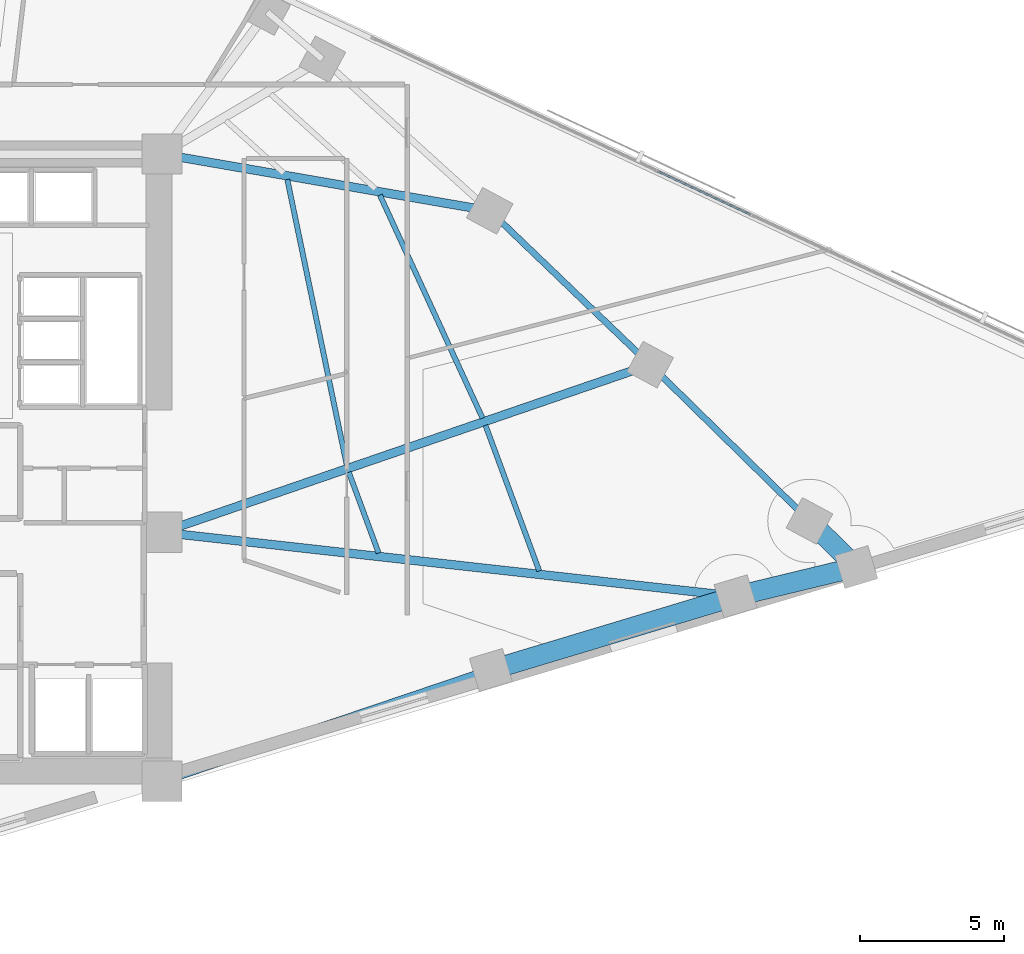
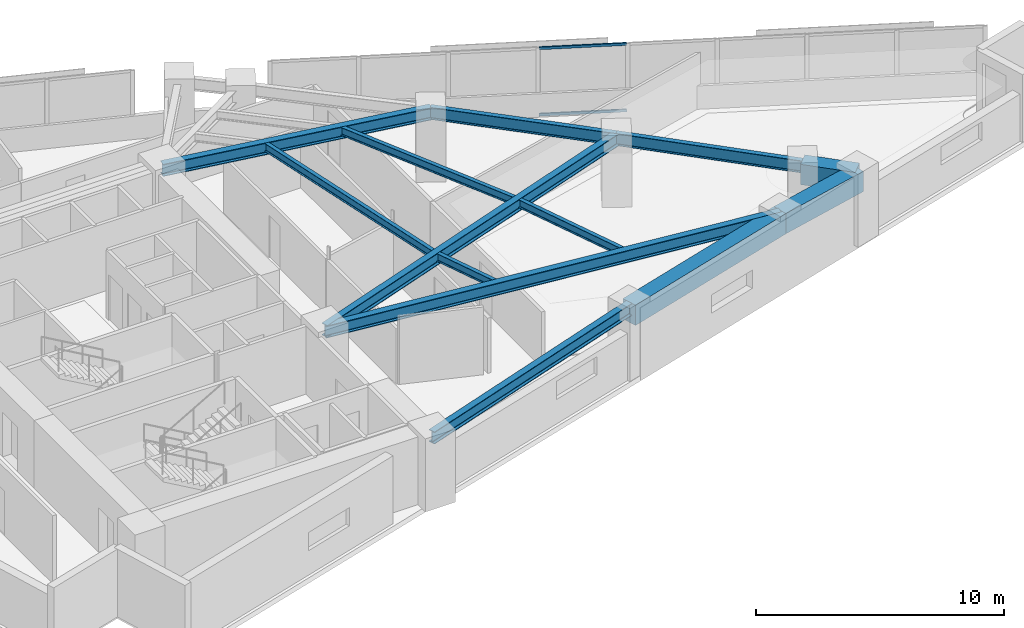
# One storey, part 3 of 16: 13 beams, 2 members, 1 element without a shape of its own.
"""IFC4 building model written with IfcOpenShell, lengths in metres."""

from ifc_helpers import new_model, si_unit, direction, frame, origin, origin_2d, place, context, subcontext, project, spatial, rectangle, hollow_rectangle, i_section, extrude, material, material_profile, profile_set, type_object, element, aggregate, save


model = new_model("IFC4")

# Units and contexts
model_context = context("Model", 3, precision=1e-05, world=origin(), true_north=direction((0.0, 1.0)))
body_context = subcontext(model_context, "Body", "Model", "MODEL_VIEW")
ifc_project = project(units=[si_unit("LENGTHUNIT", "METRE"), si_unit("AREAUNIT", "SQUARE_METRE"), si_unit("VOLUMEUNIT", "CUBIC_METRE"), si_unit("PLANEANGLEUNIT", "RADIAN"), si_unit("MASSUNIT", "GRAM", prefix="KILO")], contexts=[model_context])

# Site, building, storey
site_placement = place(None, origin())
site = spatial("IfcSite", under=ifc_project, at=site_placement, CompositionType="ELEMENT")
building_placement = place(site_placement, origin())
building = spatial("IfcBuilding", under=site, at=building_placement, Name="Narakoshi Arena Tower", CompositionType="ELEMENT")
storey_placement = place(building_placement, frame((0.0, 0.0, 150.300048828125)))
storey = spatial("IfcBuildingStorey", under=building, at=storey_placement, Name="L40", CompositionType="ELEMENT", Elevation=150.300048828125)

# Beams
ifc_material_1 = material(Name="Concrete C60/75", Category="concrete")
ifc_material_profile_1 = material_profile(ifc_material_1, rectangle(XDim=0.699951171875, YDim=1.0, at=origin_2d()), Name="RCB700x1000")
ifc_profile_set_1 = profile_set([ifc_material_profile_1], Name="Concrete C60/75")
beam_type_1 = type_object("IfcBeamType", Name="BM-CPL-1000", PredefinedType="BEAM", material=ifc_profile_set_1)
beam_1_placement = place(storey_placement, frame((96.984619140625, 38.565185546875, 2.83984375), z_axis=(0.957568042752, 0.288207292585, 0.0), x_axis=(-0.288207292585, 0.957568042752, 0.0)))
element("IfcBeam", 1, at=beam_1_placement, inside=storey, type_object=beam_type_1, Name="L40 Perimeter Edge Girder 01", PredefinedType="BEAM", context=body_context, shape_type="SweptSolid", body=[
    extrude(rectangle(XDim=0.699951171875, YDim=1.0, at=origin_2d()), origin(), (0.0, 0.0, 1.0), 8.885986328125),
])
beam_2_placement = place(storey_placement, frame((105.49365234375, 41.126220703125, 2.83984375), z_axis=(0.97211420724, 0.234507927545, 0.0), x_axis=(-0.234507927545, 0.97211420724, 0.0)))
element("IfcBeam", 2, at=beam_2_placement, inside=storey, type_object=beam_type_1, Name="L40 Perimeter Edge Girder 02", PredefinedType="BEAM", context=body_context, shape_type="SweptSolid", body=[
    extrude(rectangle(XDim=0.699951171875, YDim=1.0, at=origin_2d()), origin(), (0.0, 0.0, 1.0), 4.3193359375),
])
beam_3_placement = place(storey_placement, frame((109.692626953125, 42.13916015625, 2.83984375), z_axis=(-0.71252416991, 0.701647566299, 0.0), x_axis=(-0.701647566299, -0.71252416991, 0.0)))
element("IfcBeam", 3, at=beam_3_placement, inside=storey, type_object=beam_type_1, Name="L40 Perimeter Edge Girder 03", PredefinedType="BEAM", context=body_context, shape_type="SweptSolid", body=[
    extrude(rectangle(XDim=0.699951171875, YDim=1.0, at=origin_2d()), origin(), (0.0, 0.0, 1.0), 2.28955078125),
])
ifc_material_2 = material(Name="Structural steel S355J2", Category="steel")
ifc_material_profile_2 = material_profile(ifc_material_2, i_section(OverallWidth=0.219970703125, OverallDepth=0.60009765625, WebThickness=0.011962890625, FlangeThickness=0.01904296875, FilletRadius=0.02392578125, at=origin_2d()), Name="IPE600")
ifc_profile_set_2 = profile_set([ifc_material_profile_2], Name="Structural steel S355J2")
beam_type_2 = type_object("IfcBeamType", Name="BM-EDGE-600", PredefinedType="BEAM", material=ifc_profile_set_2)
beam_4_placement = place(storey_placement, frame((108.061279296875, 43.74560546875, 3.0400390625), z_axis=(-0.713870487965, 0.700277749477, 0.0), x_axis=(-0.700277749477, -0.713870487965, 0.0)))
element("IfcBeam", 4, at=beam_4_placement, inside=storey, type_object=beam_type_2, Name="L40 Perimeter Edge Girder 04", PredefinedType="BEAM", context=body_context, shape_type="SweptSolid", body=[
    extrude(i_section(OverallWidth=0.219970703125, OverallDepth=0.60009765625, WebThickness=0.011962890625, FlangeThickness=0.01904296875, FilletRadius=0.02392578125, at=origin_2d()), origin(), (0.0, 0.0, 1.0), 7.75927734375),
])
beam_5_placement = place(storey_placement, frame((102.522216796875, 49.17919921875, 3.0400390625), z_axis=(-0.721767886663, 0.692135187504, 0.0), x_axis=(-0.692135187504, -0.721767886663, 0.0)))
element("IfcBeam", 5, at=beam_5_placement, inside=storey, type_object=beam_type_2, Name="L40 Perimeter Edge Girder 05", PredefinedType="BEAM", context=body_context, shape_type="SweptSolid", body=[
    extrude(i_section(OverallWidth=0.219970703125, OverallDepth=0.60009765625, WebThickness=0.011962890625, FlangeThickness=0.01904296875, FilletRadius=0.02392578125, at=origin_2d()), origin(), (0.0, 0.0, 1.0), 7.72802734375),
])
ifc_material_profile_3 = material_profile(ifc_material_2, i_section(OverallWidth=0.300048828125, OverallDepth=0.60009765625, WebThickness=0.015380859375, FlangeThickness=0.030029296875, FilletRadius=0.027099609375, at=origin_2d()), Name="HE600B")
ifc_profile_set_3 = profile_set([ifc_material_profile_3], Name="Structural steel S355J2")
beam_type_3 = type_object("IfcBeamType", Name="BM-PRI-600", PredefinedType="BEAM", material=ifc_profile_set_3)
beam_6_placement = place(storey_placement, frame((85.550048828125, 34.699951171875, 3.0400390625), z_axis=(0.947339879376, 0.32022984393, 0.0), x_axis=(-0.32022984393, 0.947339879376, 0.0)))
element("IfcBeam", 6, at=beam_6_placement, inside=storey, type_object=beam_type_3, Name="L40 Radial Primary Floor Girder 01", PredefinedType="BEAM", context=body_context, shape_type="SweptSolid", body=[
    extrude(i_section(OverallWidth=0.300048828125, OverallDepth=0.60009765625, WebThickness=0.015380859375, FlangeThickness=0.030029296875, FilletRadius=0.027099609375, at=origin_2d()), origin(), (0.0, 0.0, 1.0), 12.070068359375),
])
beam_7_placement = place(storey_placement, frame((85.550048828125, 43.35009765625, 3.0400390625), z_axis=(0.99384033484, -0.110821427733, 0.0), x_axis=(0.110821427733, 0.99384033484, 0.0)))
element("IfcBeam", 7, at=beam_7_placement, inside=storey, type_object=beam_type_3, Name="L40 Radial Primary Floor Girder 02", PredefinedType="BEAM", context=body_context, shape_type="SweptSolid", body=[
    extrude(i_section(OverallWidth=0.300048828125, OverallDepth=0.60009765625, WebThickness=0.015380859375, FlangeThickness=0.030029296875, FilletRadius=0.027099609375, at=origin_2d()), origin(), (0.0, 0.0, 1.0), 20.067138671875),
])
beam_8_placement = place(storey_placement, frame((85.550048828125, 43.35009765625, 3.0400390625), z_axis=(0.945773611909, 0.324826530653, 0.0), x_axis=(-0.324826530653, 0.945773611909, 0.0)))
element("IfcBeam", 8, at=beam_8_placement, inside=storey, type_object=beam_type_3, Name="L40 Radial Primary Floor Girder 05", PredefinedType="BEAM", context=body_context, shape_type="SweptSolid", body=[
    extrude(i_section(OverallWidth=0.300048828125, OverallDepth=0.60009765625, WebThickness=0.015380859375, FlangeThickness=0.030029296875, FilletRadius=0.027099609375, at=origin_2d()), origin(), (0.0, 0.0, 1.0), 17.9453125),
])
beam_9_placement = place(storey_placement, frame((85.550048828125, 56.5, 3.0400390625), z_axis=(0.985352893735, -0.170527636492, 0.0), x_axis=(0.170527636492, 0.985352893735, 0.0)))
element("IfcBeam", 9, at=beam_9_placement, inside=storey, type_object=beam_type_3, Name="L40 Radial Primary Floor Girder 06", PredefinedType="BEAM", context=body_context, shape_type="SweptSolid", body=[
    extrude(i_section(OverallWidth=0.300048828125, OverallDepth=0.60009765625, WebThickness=0.015380859375, FlangeThickness=0.030029296875, FilletRadius=0.027099609375, at=origin_2d()), origin(), (0.0, 0.0, 1.0), 11.563720703125),
])
ifc_material_profile_4 = material_profile(ifc_material_2, i_section(OverallWidth=0.179931640625, OverallDepth=0.39990234375, WebThickness=0.008544921875, FlangeThickness=0.013427734375, FilletRadius=0.02099609375, at=origin_2d()), Name="IPE400")
ifc_profile_set_4 = profile_set([ifc_material_profile_4], Name="Structural steel S355J2")
beam_type_4 = type_object("IfcBeamType", Name="BM-SEC-400", PredefinedType="JOIST", material=ifc_profile_set_4)
beam_10_placement = place(storey_placement, frame((93.081787109375, 42.631591796875, 3.139892578125), z_axis=(-0.34615532378, 0.938177217704, 0.0), x_axis=(-0.938177217704, -0.34615532378, 0.0)))
element("IfcBeam", 10, at=beam_10_placement, inside=storey, type_object=beam_type_4, Name="L40 Composite Secondary Floor Joist 01", PredefinedType="JOIST", context=body_context, shape_type="SweptSolid", body=[
    extrude(i_section(OverallWidth=0.179931640625, OverallDepth=0.39990234375, WebThickness=0.008544921875, FlangeThickness=0.013427734375, FilletRadius=0.02099609375, at=origin_2d()), origin(), (0.0, 0.0, 1.0), 2.991943359375),
])
beam_11_placement = place(storey_placement, frame((98.666015625, 42.0087890625, 3.139892578125), z_axis=(-0.346149857455, 0.938179234573, 0.0), x_axis=(-0.938179234573, -0.346149857455, 0.0)))
element("IfcBeam", 11, at=beam_11_placement, inside=storey, type_object=beam_type_4, Name="L40 Composite Secondary Floor Joist 02", PredefinedType="JOIST", context=body_context, shape_type="SweptSolid", body=[
    extrude(i_section(OverallWidth=0.179931640625, OverallDepth=0.39990234375, WebThickness=0.008544921875, FlangeThickness=0.013427734375, FilletRadius=0.02099609375, at=origin_2d()), origin(), (0.0, 0.0, 1.0), 5.3955078125),
])
beam_12_placement = place(storey_placement, frame((91.971923828125, 45.697265625, 3.139892578125), z_axis=(-0.20372238745, 0.979028696644, 0.0), x_axis=(-0.979028696644, -0.20372238745, 0.0)))
element("IfcBeam", 12, at=beam_12_placement, inside=storey, type_object=beam_type_4, Name="L40 Composite Secondary Floor Joist 03", PredefinedType="JOIST", context=body_context, shape_type="SweptSolid", body=[
    extrude(i_section(OverallWidth=0.179931640625, OverallDepth=0.39990234375, WebThickness=0.008544921875, FlangeThickness=0.013427734375, FilletRadius=0.02099609375, at=origin_2d()), origin(), (0.0, 0.0, 1.0), 10.133544921875),
])
beam_13_placement = place(storey_placement, frame((96.6953125, 47.320068359375, 3.139892578125), z_axis=(-0.41799340635, 0.908450060404, 0.0), x_axis=(-0.908450060404, -0.41799340635, 0.0)))
element("IfcBeam", 13, at=beam_13_placement, inside=storey, type_object=beam_type_4, Name="L40 Composite Secondary Floor Joist 04", PredefinedType="JOIST", context=body_context, shape_type="SweptSolid", body=[
    extrude(i_section(OverallWidth=0.179931640625, OverallDepth=0.39990234375, WebThickness=0.008544921875, FlangeThickness=0.013427734375, FilletRadius=0.02099609375, at=origin_2d()), origin(), (0.0, 0.0, 1.0), 8.537353515625),
])

# Curtain wall, members
ifc_material_3 = material(Name="Anodised bronze aluminium 6063-T6", Category="aluminium")
curtain_wall_type = type_object("IfcCurtainWallType", Name="CW-HYP-MID", PredefinedType="NOTDEFINED", material=ifc_material_3)
curtain_wall_placement = place(storey_placement, origin())
curtain_wall = element("IfcCurtainWall", 14, at=curtain_wall_placement, inside=storey, type_object=curtain_wall_type, Name="L40 Folded Hypotenuse Curtain Wall 1-1", PredefinedType="NOTDEFINED")
ifc_material_profile_5 = material_profile(ifc_material_3, hollow_rectangle(XDim=0.06494140625, YDim=0.1298828125, WallThickness=0.00390625, OuterFilletRadius=0.0048828125, at=origin_2d()), Name="TRN130x65x4")
ifc_profile_set_5 = profile_set([ifc_material_profile_5], Name="Anodised bronze aluminium 6063-T6")
member_type = type_object("IfcMemberType", Name="MEM-TRN-130", PredefinedType="USERDEFINED", material=ifc_profile_set_5)
member_1_placement = place(storey_placement, frame((106.008056640625, 54.39404296875, 0.032470703125), z_axis=(-0.905863892755, 0.42356889381, 0.0), x_axis=(-0.42356889381, -0.905863892755, 0.0)))
member_1 = element("IfcMember", 15, at=member_1_placement, type_object=member_type, Name="CW-02 transom 5.1", ObjectType="TRANSOM", PredefinedType="USERDEFINED", context=body_context, shape_type="SweptSolid", body=[
    extrude(hollow_rectangle(XDim=0.06494140625, YDim=0.1298828125, WallThickness=0.00390625, OuterFilletRadius=0.0048828125, at=origin_2d()), origin(), (0.0, 0.0, 1.0), 3.55859375),
])
member_2_placement = place(storey_placement, frame((106.008056640625, 54.39404296875, 3.307373046875), z_axis=(-0.905863892755, 0.42356889381, 0.0), x_axis=(-0.42356889381, -0.905863892755, 0.0)))
member_2 = element("IfcMember", 16, at=member_2_placement, type_object=member_type, Name="CW-02 transom 5.2", ObjectType="TRANSOM", PredefinedType="USERDEFINED", context=body_context, shape_type="SweptSolid", body=[
    extrude(hollow_rectangle(XDim=0.06494140625, YDim=0.1298828125, WallThickness=0.00390625, OuterFilletRadius=0.0048828125, at=origin_2d()), origin(), (0.0, 0.0, 1.0), 3.55859375),
])
aggregate(curtain_wall, [member_1, member_2])

save(model, "model.ifc")
